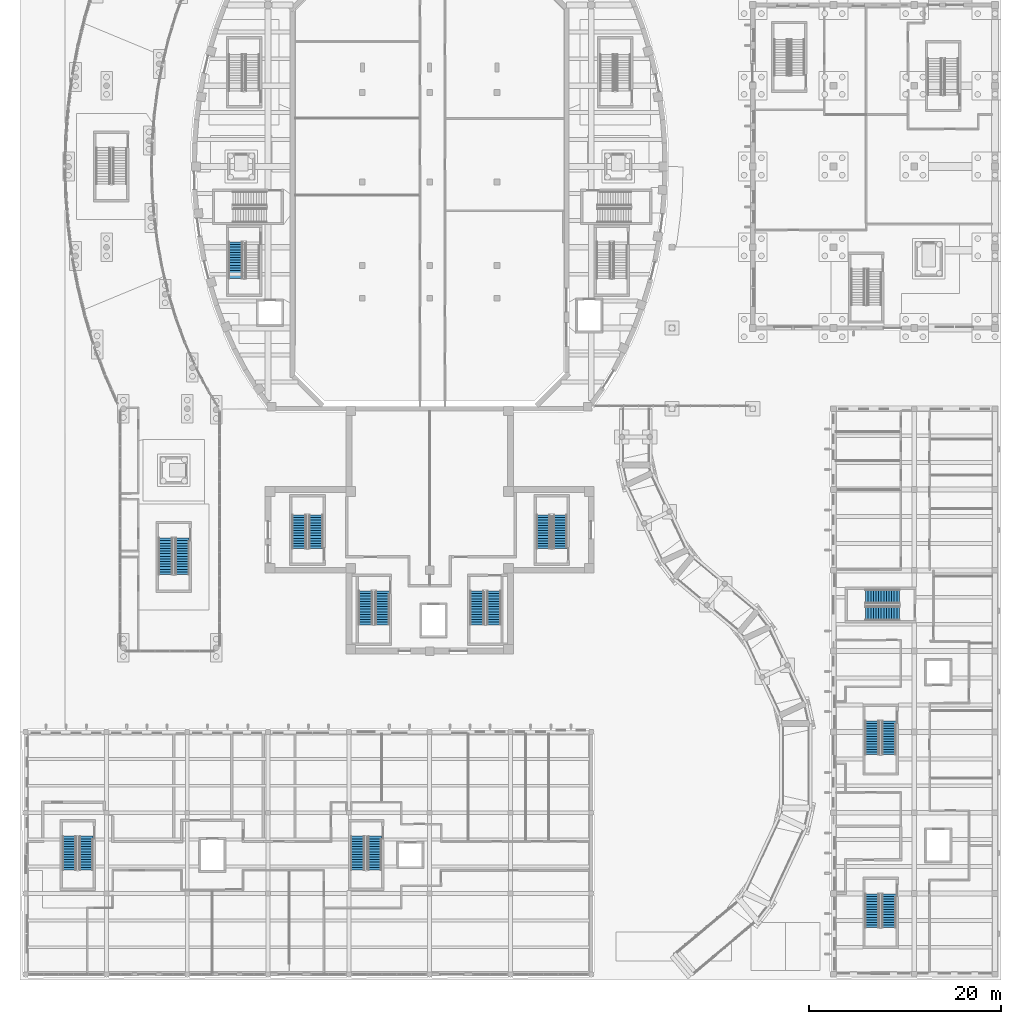
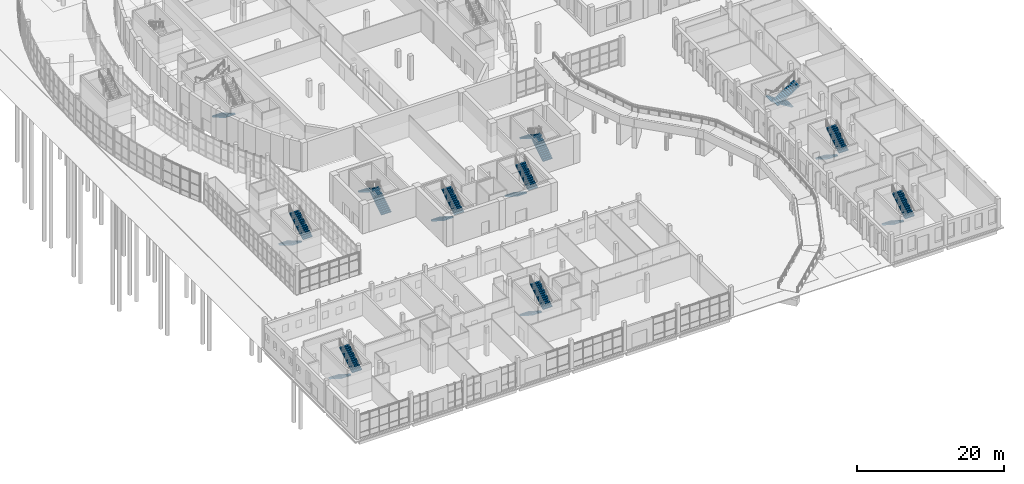
# One storey, part 69 of 110: 21 stair flights, 11 elements without a shape of their own.
"""IFC4 building model written with IfcOpenShell, lengths in metres."""

from ifc_helpers import new_model, si_unit, direction, frame, origin, place, context, subcontext, project, spatial, polyline, outline, extrude, material, type_object, element, aggregate, save


model = new_model("IFC4")

# Units and contexts
model_context = context("Model", 3, precision=1e-05, world=origin(), true_north=direction((0.0, 1.0)))
body_context = subcontext(model_context, "Body", "Model", "MODEL_VIEW")
ifc_project = project(units=[si_unit("LENGTHUNIT", "METRE"), si_unit("AREAUNIT", "SQUARE_METRE"), si_unit("VOLUMEUNIT", "CUBIC_METRE"), si_unit("PLANEANGLEUNIT", "RADIAN"), si_unit("MASSUNIT", "GRAM", prefix="KILO")], contexts=[model_context])

# Site, building, storey
site_placement = place(None, origin())
site = spatial("IfcSite", under=ifc_project, at=site_placement, CompositionType="ELEMENT")
building_placement = place(site_placement, origin())
building = spatial("IfcBuilding", under=site, at=building_placement, Name="Larchfold Concert Hall", CompositionType="ELEMENT")
storey_placement = place(building_placement, origin())
storey = spatial("IfcBuildingStorey", under=building, at=storey_placement, Name="L00", CompositionType="ELEMENT", Elevation=0.0)

# Stair, stair flight
ifc_material_1 = material(Name="Concrete C35/45", Category="concrete")
stair_type = type_object("IfcStairType", Name="Stair RC half-turn enclosed", PredefinedType="HALF_TURN_STAIR", material=ifc_material_1)
stair_1_placement = place(storey_placement, origin())
stair_1 = element("IfcStair", 1, at=stair_1_placement, inside=storey, type_object=stair_type, Name="Stair DS5", PredefinedType="HALF_TURN_STAIR")
ifc_material_2 = material(Name="Concrete C35/45", Category="concrete")
stair_flight_type_1 = type_object("IfcStairFlightType", Name="Stair flight RC 1500 x 160.0", PredefinedType="STRAIGHT", material=ifc_material_2)
stair_flight_1_placement = place(storey_placement, frame((22.449951171875, 76.75, 0.0), z_axis=(0.0, 0.0, 1.0), x_axis=(0.0, -1.0, 0.0)))
stair_flight_1 = element("IfcStairFlight", 2, at=stair_flight_1_placement, type_object=stair_flight_type_1, Name="ST05 flight 1", NumberOfRisers=15, NumberOfTreads=14, PredefinedType="STRAIGHT", RiserHeight=0.16, TreadLength=0.27, context=body_context, shape_type="SweptSolid", body=[
    extrude(outline(polyline([(0.0, 0.0), (0.0, 0.159912109375), (0.27001953125, 0.159912109375), (0.27001953125, 0.320068359375), (0.5400390625, 0.320068359375), (0.5400390625, 0.47998046875), (0.81005859375, 0.47998046875), (0.81005859375, 0.639892578125), (1.080078125, 0.639892578125), (1.080078125, 0.800048828125), (1.35009765625, 0.800048828125), (1.35009765625, 0.9599609375), (1.6201171875, 0.9599609375), (1.6201171875, 1.1201171875), (1.889892578125, 1.1201171875), (1.889892578125, 1.280029296875), (2.159912109375, 1.280029296875), (2.159912109375, 1.43994140625), (2.429931640625, 1.43994140625), (2.429931640625, 1.60009765625), (2.699951171875, 1.60009765625), (2.699951171875, 1.760009765625), (2.969970703125, 1.760009765625), (2.969970703125, 1.919921875), (3.239990234375, 1.919921875), (3.239990234375, 2.080078125), (3.510009765625, 2.080078125), (3.510009765625, 2.239990234375), (3.780029296875, 2.239990234375), (3.780029296875, 2.39990234375), (3.780029296875, 2.065673828125), (0.2939453125, 0.0), (0.0, 0.0)])), frame((0.0, 0.75, 0.0), z_axis=(0.0, -1.0, 0.0), x_axis=(1.0, 0.0, 0.0)), (0.0, 0.0, 1.0), 1.5),
])
aggregate(stair_1, [stair_flight_1])

# Stair, stair flights
stair_2_placement = place(storey_placement, origin())
stair_2 = element("IfcStair", 3, at=stair_2_placement, inside=storey, type_object=stair_type, Name="Stair WG1", PredefinedType="HALF_TURN_STAIR")
stair_flight_2_placement = place(storey_placement, frame((15.14990234375, 45.949951171875, 0.0), z_axis=(0.0, 0.0, 1.0), x_axis=(0.0, -1.0, 0.0)))
stair_flight_2 = element("IfcStairFlight", 4, at=stair_flight_2_placement, type_object=stair_flight_type_1, Name="ST23 flight 1", NumberOfRisers=15, NumberOfTreads=14, PredefinedType="STRAIGHT", RiserHeight=0.16, TreadLength=0.27, context=body_context, shape_type="SweptSolid", body=[
    extrude(outline(polyline([(0.0, 0.0), (0.0, 0.159912109375), (0.27001953125, 0.159912109375), (0.27001953125, 0.320068359375), (0.5400390625, 0.320068359375), (0.5400390625, 0.47998046875), (0.81005859375, 0.47998046875), (0.81005859375, 0.639892578125), (1.080078125, 0.639892578125), (1.080078125, 0.800048828125), (1.35009765625, 0.800048828125), (1.35009765625, 0.9599609375), (1.6201171875, 0.9599609375), (1.6201171875, 1.1201171875), (1.889892578125, 1.1201171875), (1.889892578125, 1.280029296875), (2.159912109375, 1.280029296875), (2.159912109375, 1.43994140625), (2.429931640625, 1.43994140625), (2.429931640625, 1.60009765625), (2.699951171875, 1.60009765625), (2.699951171875, 1.760009765625), (2.969970703125, 1.760009765625), (2.969970703125, 1.919921875), (3.239990234375, 1.919921875), (3.239990234375, 2.080078125), (3.510009765625, 2.080078125), (3.510009765625, 2.239990234375), (3.780029296875, 2.239990234375), (3.780029296875, 2.39990234375), (3.780029296875, 2.065673828125), (0.2939453125, 0.0), (0.0, 0.0)])), frame((0.0, 0.75, 0.0), z_axis=(0.0, -1.0, 0.0), x_axis=(1.0, 0.0, 0.0)), (0.0, 0.0, 1.0), 1.5),
])
stair_flight_3_placement = place(storey_placement, frame((16.849853515625, 42.169921875, 2.39990234375), z_axis=(0.0, 0.0, 1.0), x_axis=(0.0, 1.0, 0.0)))
stair_flight_3 = element("IfcStairFlight", 5, at=stair_flight_3_placement, type_object=stair_flight_type_1, Name="ST23 flight 2", NumberOfRisers=15, NumberOfTreads=14, PredefinedType="STRAIGHT", RiserHeight=0.16, TreadLength=0.27, context=body_context, shape_type="SweptSolid", body=[
    extrude(outline(polyline([(0.0, 0.0), (0.0, 0.159912109375), (0.27001953125, 0.159912109375), (0.27001953125, 0.320068359375), (0.5400390625, 0.320068359375), (0.5400390625, 0.47998046875), (0.81005859375, 0.47998046875), (0.81005859375, 0.639892578125), (1.080078125, 0.639892578125), (1.080078125, 0.800048828125), (1.35009765625, 0.800048828125), (1.35009765625, 0.9599609375), (1.6201171875, 0.9599609375), (1.6201171875, 1.1201171875), (1.889892578125, 1.1201171875), (1.889892578125, 1.280029296875), (2.159912109375, 1.280029296875), (2.159912109375, 1.43994140625), (2.429931640625, 1.43994140625), (2.429931640625, 1.60009765625), (2.699951171875, 1.60009765625), (2.699951171875, 1.760009765625), (2.969970703125, 1.760009765625), (2.969970703125, 1.919921875), (3.239990234375, 1.919921875), (3.239990234375, 2.080078125), (3.510009765625, 2.080078125), (3.510009765625, 2.239990234375), (3.780029296875, 2.239990234375), (3.780029296875, 2.39990234375), (3.780029296875, 2.065673828125), (0.2939453125, 0.0), (0.0, 0.0)])), frame((0.0, 0.75, 0.0), z_axis=(0.0, -1.0, 0.0), x_axis=(1.0, 0.0, 0.0)), (0.0, 0.0, 1.0), 1.5),
])
aggregate(stair_2, [stair_flight_2, stair_flight_3])

stair_3_placement = place(storey_placement, origin())
stair_3 = element("IfcStair", 6, at=stair_3_placement, inside=storey, type_object=stair_type, Name="Stair SH1", PredefinedType="HALF_TURN_STAIR")
ifc_material_3 = material(Name="Concrete C35/45", Category="concrete")
stair_flight_type_2 = type_object("IfcStairFlightType", Name="Stair flight RC 1500 x 171.4", PredefinedType="STRAIGHT", material=ifc_material_3)
stair_flight_4_placement = place(storey_placement, frame((30.75, 44.85009765625, 0.0), z_axis=(0.0, 0.0, 1.0), x_axis=(0.0, 1.0, 0.0)))
stair_flight_4 = element("IfcStairFlight", 7, at=stair_flight_4_placement, type_object=stair_flight_type_2, Name="ST09 flight 1", NumberOfRisers=14, NumberOfTreads=13, PredefinedType="STRAIGHT", RiserHeight=0.171428571, TreadLength=0.27, context=body_context, shape_type="SweptSolid", body=[
    extrude(outline(polyline([(0.0, 0.0), (0.0, 0.17138671875), (0.27001953125, 0.17138671875), (0.27001953125, 0.3427734375), (0.5400390625, 0.3427734375), (0.5400390625, 0.514404296875), (0.81005859375, 0.514404296875), (0.81005859375, 0.685791015625), (1.080078125, 0.685791015625), (1.080078125, 0.857177734375), (1.35009765625, 0.857177734375), (1.35009765625, 1.028564453125), (1.6201171875, 1.028564453125), (1.6201171875, 1.199951171875), (1.889892578125, 1.199951171875), (1.889892578125, 1.371337890625), (2.159912109375, 1.371337890625), (2.159912109375, 1.54296875), (2.429931640625, 1.54296875), (2.429931640625, 1.71435546875), (2.699951171875, 1.71435546875), (2.699951171875, 1.8857421875), (2.969970703125, 1.8857421875), (2.969970703125, 2.05712890625), (3.239990234375, 2.05712890625), (3.239990234375, 2.228515625), (3.510009765625, 2.228515625), (3.510009765625, 2.39990234375), (3.510009765625, 2.051025390625), (0.27978515625, 0.0), (0.0, 0.0)])), frame((0.0, 0.75, 0.0), z_axis=(0.0, -1.0, 0.0), x_axis=(1.0, 0.0, 0.0)), (0.0, 0.0, 1.0), 1.5),
])
stair_flight_5_placement = place(storey_placement, frame((29.050048828125, 48.360107421875, 2.39990234375), z_axis=(0.0, 0.0, 1.0), x_axis=(0.0, -1.0, 0.0)))
stair_flight_5 = element("IfcStairFlight", 8, at=stair_flight_5_placement, type_object=stair_flight_type_2, Name="ST09 flight 2", NumberOfRisers=14, NumberOfTreads=13, PredefinedType="STRAIGHT", RiserHeight=0.171428571, TreadLength=0.27, context=body_context, shape_type="SweptSolid", body=[
    extrude(outline(polyline([(0.0, 0.0), (0.0, 0.17138671875), (0.27001953125, 0.17138671875), (0.27001953125, 0.3427734375), (0.5400390625, 0.3427734375), (0.5400390625, 0.514404296875), (0.81005859375, 0.514404296875), (0.81005859375, 0.685791015625), (1.080078125, 0.685791015625), (1.080078125, 0.857177734375), (1.35009765625, 0.857177734375), (1.35009765625, 1.028564453125), (1.6201171875, 1.028564453125), (1.6201171875, 1.199951171875), (1.889892578125, 1.199951171875), (1.889892578125, 1.371337890625), (2.159912109375, 1.371337890625), (2.159912109375, 1.54296875), (2.429931640625, 1.54296875), (2.429931640625, 1.71435546875), (2.699951171875, 1.71435546875), (2.699951171875, 1.8857421875), (2.969970703125, 1.8857421875), (2.969970703125, 2.05712890625), (3.239990234375, 2.05712890625), (3.239990234375, 2.228515625), (3.510009765625, 2.228515625), (3.510009765625, 2.39990234375), (3.510009765625, 2.051025390625), (0.27978515625, 0.0), (0.0, 0.0)])), frame((0.0, 0.75, 0.0), z_axis=(0.0, -1.0, 0.0), x_axis=(1.0, 0.0, 0.0)), (0.0, 0.0, 1.0), 1.5),
])
aggregate(stair_3, [stair_flight_4, stair_flight_5])

stair_4_placement = place(storey_placement, origin())
stair_4 = element("IfcStair", 9, at=stair_4_placement, inside=storey, type_object=stair_type, Name="Stair SH2", PredefinedType="HALF_TURN_STAIR")
stair_flight_6_placement = place(storey_placement, frame((56.14990234375, 44.85009765625, 0.0), z_axis=(0.0, 0.0, 1.0), x_axis=(0.0, 1.0, 0.0)))
stair_flight_6 = element("IfcStairFlight", 10, at=stair_flight_6_placement, type_object=stair_flight_type_2, Name="ST10 flight 1", NumberOfRisers=14, NumberOfTreads=13, PredefinedType="STRAIGHT", RiserHeight=0.171428571, TreadLength=0.27, context=body_context, shape_type="SweptSolid", body=[
    extrude(outline(polyline([(0.0, 0.0), (0.0, 0.17138671875), (0.27001953125, 0.17138671875), (0.27001953125, 0.3427734375), (0.5400390625, 0.3427734375), (0.5400390625, 0.514404296875), (0.81005859375, 0.514404296875), (0.81005859375, 0.685791015625), (1.080078125, 0.685791015625), (1.080078125, 0.857177734375), (1.35009765625, 0.857177734375), (1.35009765625, 1.028564453125), (1.6201171875, 1.028564453125), (1.6201171875, 1.199951171875), (1.889892578125, 1.199951171875), (1.889892578125, 1.371337890625), (2.159912109375, 1.371337890625), (2.159912109375, 1.54296875), (2.429931640625, 1.54296875), (2.429931640625, 1.71435546875), (2.699951171875, 1.71435546875), (2.699951171875, 1.8857421875), (2.969970703125, 1.8857421875), (2.969970703125, 2.05712890625), (3.239990234375, 2.05712890625), (3.239990234375, 2.228515625), (3.510009765625, 2.228515625), (3.510009765625, 2.39990234375), (3.510009765625, 2.051025390625), (0.27978515625, 0.0), (0.0, 0.0)])), frame((0.0, 0.75, 0.0), z_axis=(0.0, -1.0, 0.0), x_axis=(1.0, 0.0, 0.0)), (0.0, 0.0, 1.0), 1.5),
])
stair_flight_7_placement = place(storey_placement, frame((54.449951171875, 48.360107421875, 2.39990234375), z_axis=(0.0, 0.0, 1.0), x_axis=(0.0, -1.0, 0.0)))
stair_flight_7 = element("IfcStairFlight", 11, at=stair_flight_7_placement, type_object=stair_flight_type_2, Name="ST10 flight 2", NumberOfRisers=14, NumberOfTreads=13, PredefinedType="STRAIGHT", RiserHeight=0.171428571, TreadLength=0.27, context=body_context, shape_type="SweptSolid", body=[
    extrude(outline(polyline([(0.0, 0.0), (0.0, 0.17138671875), (0.27001953125, 0.17138671875), (0.27001953125, 0.3427734375), (0.5400390625, 0.3427734375), (0.5400390625, 0.514404296875), (0.81005859375, 0.514404296875), (0.81005859375, 0.685791015625), (1.080078125, 0.685791015625), (1.080078125, 0.857177734375), (1.35009765625, 0.857177734375), (1.35009765625, 1.028564453125), (1.6201171875, 1.028564453125), (1.6201171875, 1.199951171875), (1.889892578125, 1.199951171875), (1.889892578125, 1.371337890625), (2.159912109375, 1.371337890625), (2.159912109375, 1.54296875), (2.429931640625, 1.54296875), (2.429931640625, 1.71435546875), (2.699951171875, 1.71435546875), (2.699951171875, 1.8857421875), (2.969970703125, 1.8857421875), (2.969970703125, 2.05712890625), (3.239990234375, 2.05712890625), (3.239990234375, 2.228515625), (3.510009765625, 2.228515625), (3.510009765625, 2.39990234375), (3.510009765625, 2.051025390625), (0.27978515625, 0.0), (0.0, 0.0)])), frame((0.0, 0.75, 0.0), z_axis=(0.0, -1.0, 0.0), x_axis=(1.0, 0.0, 0.0)), (0.0, 0.0, 1.0), 1.5),
])
aggregate(stair_4, [stair_flight_6, stair_flight_7])

stair_5_placement = place(storey_placement, origin())
stair_5 = element("IfcStair", 12, at=stair_5_placement, inside=storey, type_object=stair_type, Name="Stair SH3", PredefinedType="HALF_TURN_STAIR")
stair_flight_8_placement = place(storey_placement, frame((35.949951171875, 40.449951171875, 0.0), z_axis=(0.0, 0.0, 1.0), x_axis=(0.0, -1.0, 0.0)))
stair_flight_8 = element("IfcStairFlight", 13, at=stair_flight_8_placement, type_object=stair_flight_type_2, Name="ST11 flight 1", NumberOfRisers=14, NumberOfTreads=13, PredefinedType="STRAIGHT", RiserHeight=0.171428571, TreadLength=0.27, context=body_context, shape_type="SweptSolid", body=[
    extrude(outline(polyline([(0.0, 0.0), (0.0, 0.17138671875), (0.27001953125, 0.17138671875), (0.27001953125, 0.3427734375), (0.5400390625, 0.3427734375), (0.5400390625, 0.514404296875), (0.81005859375, 0.514404296875), (0.81005859375, 0.685791015625), (1.080078125, 0.685791015625), (1.080078125, 0.857177734375), (1.35009765625, 0.857177734375), (1.35009765625, 1.028564453125), (1.6201171875, 1.028564453125), (1.6201171875, 1.199951171875), (1.889892578125, 1.199951171875), (1.889892578125, 1.371337890625), (2.159912109375, 1.371337890625), (2.159912109375, 1.54296875), (2.429931640625, 1.54296875), (2.429931640625, 1.71435546875), (2.699951171875, 1.71435546875), (2.699951171875, 1.8857421875), (2.969970703125, 1.8857421875), (2.969970703125, 2.05712890625), (3.239990234375, 2.05712890625), (3.239990234375, 2.228515625), (3.510009765625, 2.228515625), (3.510009765625, 2.39990234375), (3.510009765625, 2.051025390625), (0.27978515625, 0.0), (0.0, 0.0)])), frame((0.0, 0.75, 0.0), z_axis=(0.0, -1.0, 0.0), x_axis=(1.0, 0.0, 0.0)), (0.0, 0.0, 1.0), 1.5),
])
stair_flight_9_placement = place(storey_placement, frame((37.64990234375, 36.93994140625, 2.39990234375), z_axis=(0.0, 0.0, 1.0), x_axis=(0.0, 1.0, 0.0)))
stair_flight_9 = element("IfcStairFlight", 14, at=stair_flight_9_placement, type_object=stair_flight_type_2, Name="ST11 flight 2", NumberOfRisers=14, NumberOfTreads=13, PredefinedType="STRAIGHT", RiserHeight=0.171428571, TreadLength=0.27, context=body_context, shape_type="SweptSolid", body=[
    extrude(outline(polyline([(0.0, 0.0), (0.0, 0.17138671875), (0.27001953125, 0.17138671875), (0.27001953125, 0.3427734375), (0.5400390625, 0.3427734375), (0.5400390625, 0.514404296875), (0.81005859375, 0.514404296875), (0.81005859375, 0.685791015625), (1.080078125, 0.685791015625), (1.080078125, 0.857177734375), (1.35009765625, 0.857177734375), (1.35009765625, 1.028564453125), (1.6201171875, 1.028564453125), (1.6201171875, 1.199951171875), (1.889892578125, 1.199951171875), (1.889892578125, 1.371337890625), (2.159912109375, 1.371337890625), (2.159912109375, 1.54296875), (2.429931640625, 1.54296875), (2.429931640625, 1.71435546875), (2.699951171875, 1.71435546875), (2.699951171875, 1.8857421875), (2.969970703125, 1.8857421875), (2.969970703125, 2.05712890625), (3.239990234375, 2.05712890625), (3.239990234375, 2.228515625), (3.510009765625, 2.228515625), (3.510009765625, 2.39990234375), (3.510009765625, 2.051025390625), (0.27978515625, 0.0), (0.0, 0.0)])), frame((0.0, 0.75, 0.0), z_axis=(0.0, -1.0, 0.0), x_axis=(1.0, 0.0, 0.0)), (0.0, 0.0, 1.0), 1.5),
])
aggregate(stair_5, [stair_flight_8, stair_flight_9])

stair_6_placement = place(storey_placement, origin())
stair_6 = element("IfcStair", 15, at=stair_6_placement, inside=storey, type_object=stair_type, Name="Stair SH4", PredefinedType="HALF_TURN_STAIR")
stair_flight_10_placement = place(storey_placement, frame((47.550048828125, 40.449951171875, 0.0), z_axis=(0.0, 0.0, 1.0), x_axis=(0.0, -1.0, 0.0)))
stair_flight_10 = element("IfcStairFlight", 16, at=stair_flight_10_placement, type_object=stair_flight_type_2, Name="ST12 flight 1", NumberOfRisers=14, NumberOfTreads=13, PredefinedType="STRAIGHT", RiserHeight=0.171428571, TreadLength=0.27, context=body_context, shape_type="SweptSolid", body=[
    extrude(outline(polyline([(0.0, 0.0), (0.0, 0.17138671875), (0.27001953125, 0.17138671875), (0.27001953125, 0.3427734375), (0.5400390625, 0.3427734375), (0.5400390625, 0.514404296875), (0.81005859375, 0.514404296875), (0.81005859375, 0.685791015625), (1.080078125, 0.685791015625), (1.080078125, 0.857177734375), (1.35009765625, 0.857177734375), (1.35009765625, 1.028564453125), (1.6201171875, 1.028564453125), (1.6201171875, 1.199951171875), (1.889892578125, 1.199951171875), (1.889892578125, 1.371337890625), (2.159912109375, 1.371337890625), (2.159912109375, 1.54296875), (2.429931640625, 1.54296875), (2.429931640625, 1.71435546875), (2.699951171875, 1.71435546875), (2.699951171875, 1.8857421875), (2.969970703125, 1.8857421875), (2.969970703125, 2.05712890625), (3.239990234375, 2.05712890625), (3.239990234375, 2.228515625), (3.510009765625, 2.228515625), (3.510009765625, 2.39990234375), (3.510009765625, 2.051025390625), (0.27978515625, 0.0), (0.0, 0.0)])), frame((0.0, 0.75, 0.0), z_axis=(0.0, -1.0, 0.0), x_axis=(1.0, 0.0, 0.0)), (0.0, 0.0, 1.0), 1.5),
])
stair_flight_11_placement = place(storey_placement, frame((49.25, 36.93994140625, 2.39990234375), z_axis=(0.0, 0.0, 1.0), x_axis=(0.0, 1.0, 0.0)))
stair_flight_11 = element("IfcStairFlight", 17, at=stair_flight_11_placement, type_object=stair_flight_type_2, Name="ST12 flight 2", NumberOfRisers=14, NumberOfTreads=13, PredefinedType="STRAIGHT", RiserHeight=0.171428571, TreadLength=0.27, context=body_context, shape_type="SweptSolid", body=[
    extrude(outline(polyline([(0.0, 0.0), (0.0, 0.17138671875), (0.27001953125, 0.17138671875), (0.27001953125, 0.3427734375), (0.5400390625, 0.3427734375), (0.5400390625, 0.514404296875), (0.81005859375, 0.514404296875), (0.81005859375, 0.685791015625), (1.080078125, 0.685791015625), (1.080078125, 0.857177734375), (1.35009765625, 0.857177734375), (1.35009765625, 1.028564453125), (1.6201171875, 1.028564453125), (1.6201171875, 1.199951171875), (1.889892578125, 1.199951171875), (1.889892578125, 1.371337890625), (2.159912109375, 1.371337890625), (2.159912109375, 1.54296875), (2.429931640625, 1.54296875), (2.429931640625, 1.71435546875), (2.699951171875, 1.71435546875), (2.699951171875, 1.8857421875), (2.969970703125, 1.8857421875), (2.969970703125, 2.05712890625), (3.239990234375, 2.05712890625), (3.239990234375, 2.228515625), (3.510009765625, 2.228515625), (3.510009765625, 2.39990234375), (3.510009765625, 2.051025390625), (0.27978515625, 0.0), (0.0, 0.0)])), frame((0.0, 0.75, 0.0), z_axis=(0.0, -1.0, 0.0), x_axis=(1.0, 0.0, 0.0)), (0.0, 0.0, 1.0), 1.5),
])
aggregate(stair_6, [stair_flight_10, stair_flight_11])

stair_7_placement = place(storey_placement, origin())
stair_7 = element("IfcStair", 18, at=stair_7_placement, inside=storey, type_object=stair_type, Name="Stair AW1", PredefinedType="HALF_TURN_STAIR")
stair_flight_12_placement = place(storey_placement, frame((88.64990234375, 8.949951171875, 0.0), z_axis=(0.0, 0.0, 1.0), x_axis=(0.0, -1.0, 0.0)))
stair_flight_12 = element("IfcStairFlight", 19, at=stair_flight_12_placement, type_object=stair_flight_type_2, Name="ST13 flight 1", NumberOfRisers=14, NumberOfTreads=13, PredefinedType="STRAIGHT", RiserHeight=0.171428571, TreadLength=0.27, context=body_context, shape_type="SweptSolid", body=[
    extrude(outline(polyline([(0.0, 0.0), (0.0, 0.17138671875), (0.27001953125, 0.17138671875), (0.27001953125, 0.3427734375), (0.5400390625, 0.3427734375), (0.5400390625, 0.514404296875), (0.81005859375, 0.514404296875), (0.81005859375, 0.685791015625), (1.080078125, 0.685791015625), (1.080078125, 0.857177734375), (1.35009765625, 0.857177734375), (1.35009765625, 1.028564453125), (1.6201171875, 1.028564453125), (1.6201171875, 1.199951171875), (1.889892578125, 1.199951171875), (1.889892578125, 1.371337890625), (2.159912109375, 1.371337890625), (2.159912109375, 1.54296875), (2.429931640625, 1.54296875), (2.429931640625, 1.71435546875), (2.699951171875, 1.71435546875), (2.699951171875, 1.8857421875), (2.969970703125, 1.8857421875), (2.969970703125, 2.05712890625), (3.239990234375, 2.05712890625), (3.239990234375, 2.228515625), (3.510009765625, 2.228515625), (3.510009765625, 2.39990234375), (3.510009765625, 2.051025390625), (0.27978515625, 0.0), (0.0, 0.0)])), frame((0.0, 0.75, 0.0), z_axis=(0.0, -1.0, 0.0), x_axis=(1.0, 0.0, 0.0)), (0.0, 0.0, 1.0), 1.5),
])
stair_flight_13_placement = place(storey_placement, frame((90.349853515625, 5.43994140625, 2.39990234375), z_axis=(0.0, 0.0, 1.0), x_axis=(0.0, 1.0, 0.0)))
stair_flight_13 = element("IfcStairFlight", 20, at=stair_flight_13_placement, type_object=stair_flight_type_2, Name="ST13 flight 2", NumberOfRisers=14, NumberOfTreads=13, PredefinedType="STRAIGHT", RiserHeight=0.171428571, TreadLength=0.27, context=body_context, shape_type="SweptSolid", body=[
    extrude(outline(polyline([(0.0, 0.0), (0.0, 0.17138671875), (0.27001953125, 0.17138671875), (0.27001953125, 0.3427734375), (0.5400390625, 0.3427734375), (0.5400390625, 0.514404296875), (0.81005859375, 0.514404296875), (0.81005859375, 0.685791015625), (1.080078125, 0.685791015625), (1.080078125, 0.857177734375), (1.35009765625, 0.857177734375), (1.35009765625, 1.028564453125), (1.6201171875, 1.028564453125), (1.6201171875, 1.199951171875), (1.889892578125, 1.199951171875), (1.889892578125, 1.371337890625), (2.159912109375, 1.371337890625), (2.159912109375, 1.54296875), (2.429931640625, 1.54296875), (2.429931640625, 1.71435546875), (2.699951171875, 1.71435546875), (2.699951171875, 1.8857421875), (2.969970703125, 1.8857421875), (2.969970703125, 2.05712890625), (3.239990234375, 2.05712890625), (3.239990234375, 2.228515625), (3.510009765625, 2.228515625), (3.510009765625, 2.39990234375), (3.510009765625, 2.051025390625), (0.27978515625, 0.0), (0.0, 0.0)])), frame((0.0, 0.75, 0.0), z_axis=(0.0, -1.0, 0.0), x_axis=(1.0, 0.0, 0.0)), (0.0, 0.0, 1.0), 1.5),
])
aggregate(stair_7, [stair_flight_12, stair_flight_13])

stair_8_placement = place(storey_placement, origin())
stair_8 = element("IfcStair", 21, at=stair_8_placement, inside=storey, type_object=stair_type, Name="Stair AW2", PredefinedType="HALF_TURN_STAIR")
stair_flight_14_placement = place(storey_placement, frame((88.64990234375, 26.949951171875, 0.0), z_axis=(0.0, 0.0, 1.0), x_axis=(0.0, -1.0, 0.0)))
stair_flight_14 = element("IfcStairFlight", 22, at=stair_flight_14_placement, type_object=stair_flight_type_2, Name="ST14 flight 1", NumberOfRisers=14, NumberOfTreads=13, PredefinedType="STRAIGHT", RiserHeight=0.171428571, TreadLength=0.27, context=body_context, shape_type="SweptSolid", body=[
    extrude(outline(polyline([(0.0, 0.0), (0.0, 0.17138671875), (0.27001953125, 0.17138671875), (0.27001953125, 0.3427734375), (0.5400390625, 0.3427734375), (0.5400390625, 0.514404296875), (0.81005859375, 0.514404296875), (0.81005859375, 0.685791015625), (1.080078125, 0.685791015625), (1.080078125, 0.857177734375), (1.35009765625, 0.857177734375), (1.35009765625, 1.028564453125), (1.6201171875, 1.028564453125), (1.6201171875, 1.199951171875), (1.889892578125, 1.199951171875), (1.889892578125, 1.371337890625), (2.159912109375, 1.371337890625), (2.159912109375, 1.54296875), (2.429931640625, 1.54296875), (2.429931640625, 1.71435546875), (2.699951171875, 1.71435546875), (2.699951171875, 1.8857421875), (2.969970703125, 1.8857421875), (2.969970703125, 2.05712890625), (3.239990234375, 2.05712890625), (3.239990234375, 2.228515625), (3.510009765625, 2.228515625), (3.510009765625, 2.39990234375), (3.510009765625, 2.051025390625), (0.27978515625, 0.0), (0.0, 0.0)])), frame((0.0, 0.75, 0.0), z_axis=(0.0, -1.0, 0.0), x_axis=(1.0, 0.0, 0.0)), (0.0, 0.0, 1.0), 1.5),
])
stair_flight_15_placement = place(storey_placement, frame((90.349853515625, 23.43994140625, 2.39990234375), z_axis=(0.0, 0.0, 1.0), x_axis=(0.0, 1.0, 0.0)))
stair_flight_15 = element("IfcStairFlight", 23, at=stair_flight_15_placement, type_object=stair_flight_type_2, Name="ST14 flight 2", NumberOfRisers=14, NumberOfTreads=13, PredefinedType="STRAIGHT", RiserHeight=0.171428571, TreadLength=0.27, context=body_context, shape_type="SweptSolid", body=[
    extrude(outline(polyline([(0.0, 0.0), (0.0, 0.17138671875), (0.27001953125, 0.17138671875), (0.27001953125, 0.3427734375), (0.5400390625, 0.3427734375), (0.5400390625, 0.514404296875), (0.81005859375, 0.514404296875), (0.81005859375, 0.685791015625), (1.080078125, 0.685791015625), (1.080078125, 0.857177734375), (1.35009765625, 0.857177734375), (1.35009765625, 1.028564453125), (1.6201171875, 1.028564453125), (1.6201171875, 1.199951171875), (1.889892578125, 1.199951171875), (1.889892578125, 1.371337890625), (2.159912109375, 1.371337890625), (2.159912109375, 1.54296875), (2.429931640625, 1.54296875), (2.429931640625, 1.71435546875), (2.699951171875, 1.71435546875), (2.699951171875, 1.8857421875), (2.969970703125, 1.8857421875), (2.969970703125, 2.05712890625), (3.239990234375, 2.05712890625), (3.239990234375, 2.228515625), (3.510009765625, 2.228515625), (3.510009765625, 2.39990234375), (3.510009765625, 2.051025390625), (0.27978515625, 0.0), (0.0, 0.0)])), frame((0.0, 0.75, 0.0), z_axis=(0.0, -1.0, 0.0), x_axis=(1.0, 0.0, 0.0)), (0.0, 0.0, 1.0), 1.5),
])
aggregate(stair_8, [stair_flight_14, stair_flight_15])

stair_9_placement = place(storey_placement, origin())
stair_9 = element("IfcStair", 24, at=stair_9_placement, inside=storey, type_object=stair_type, Name="Stair AW3", PredefinedType="HALF_TURN_STAIR")
stair_flight_16_placement = place(storey_placement, frame((91.449951171875, 39.85009765625, 0.0), z_axis=(0.0, 0.0, 1.0), x_axis=(-1.0, 0.0, 0.0)))
stair_flight_16 = element("IfcStairFlight", 25, at=stair_flight_16_placement, type_object=stair_flight_type_2, Name="ST15 flight 1", NumberOfRisers=14, NumberOfTreads=13, PredefinedType="STRAIGHT", RiserHeight=0.171428571, TreadLength=0.27, context=body_context, shape_type="SweptSolid", body=[
    extrude(outline(polyline([(0.0, 0.0), (0.0, 0.17138671875), (0.27001953125, 0.17138671875), (0.27001953125, 0.3427734375), (0.5400390625, 0.3427734375), (0.5400390625, 0.514404296875), (0.81005859375, 0.514404296875), (0.81005859375, 0.685791015625), (1.080078125, 0.685791015625), (1.080078125, 0.857177734375), (1.35009765625, 0.857177734375), (1.35009765625, 1.028564453125), (1.6201171875, 1.028564453125), (1.6201171875, 1.199951171875), (1.889892578125, 1.199951171875), (1.889892578125, 1.371337890625), (2.159912109375, 1.371337890625), (2.159912109375, 1.54296875), (2.429931640625, 1.54296875), (2.429931640625, 1.71435546875), (2.699951171875, 1.71435546875), (2.699951171875, 1.8857421875), (2.969970703125, 1.8857421875), (2.969970703125, 2.05712890625), (3.239990234375, 2.05712890625), (3.239990234375, 2.228515625), (3.510009765625, 2.228515625), (3.510009765625, 2.39990234375), (3.510009765625, 2.051025390625), (0.27978515625, 0.0), (0.0, 0.0)])), frame((0.0, 0.75, 0.0), z_axis=(0.0, -1.0, 0.0), x_axis=(1.0, 0.0, 0.0)), (0.0, 0.0, 1.0), 1.5),
])
stair_flight_17_placement = place(storey_placement, frame((87.93994140625, 38.150146484375, 2.39990234375), z_axis=(0.0, 0.0, 1.0), x_axis=(1.0, 0.0, 0.0)))
stair_flight_17 = element("IfcStairFlight", 26, at=stair_flight_17_placement, type_object=stair_flight_type_2, Name="ST15 flight 2", NumberOfRisers=14, NumberOfTreads=13, PredefinedType="STRAIGHT", RiserHeight=0.171428571, TreadLength=0.27, context=body_context, shape_type="SweptSolid", body=[
    extrude(outline(polyline([(0.0, 0.0), (0.0, 0.17138671875), (0.27001953125, 0.17138671875), (0.27001953125, 0.3427734375), (0.5400390625, 0.3427734375), (0.5400390625, 0.514404296875), (0.81005859375, 0.514404296875), (0.81005859375, 0.685791015625), (1.080078125, 0.685791015625), (1.080078125, 0.857177734375), (1.35009765625, 0.857177734375), (1.35009765625, 1.028564453125), (1.6201171875, 1.028564453125), (1.6201171875, 1.199951171875), (1.889892578125, 1.199951171875), (1.889892578125, 1.371337890625), (2.159912109375, 1.371337890625), (2.159912109375, 1.54296875), (2.429931640625, 1.54296875), (2.429931640625, 1.71435546875), (2.699951171875, 1.71435546875), (2.699951171875, 1.8857421875), (2.969970703125, 1.8857421875), (2.969970703125, 2.05712890625), (3.239990234375, 2.05712890625), (3.239990234375, 2.228515625), (3.510009765625, 2.228515625), (3.510009765625, 2.39990234375), (3.510009765625, 2.051025390625), (0.27978515625, 0.0), (0.0, 0.0)])), frame((0.0, 0.75, 0.0), z_axis=(0.0, -1.0, 0.0), x_axis=(1.0, 0.0, 0.0)), (0.0, 0.0, 1.0), 1.5),
])
aggregate(stair_9, [stair_flight_16, stair_flight_17])

stair_10_placement = place(storey_placement, origin())
stair_10 = element("IfcStair", 27, at=stair_10_placement, inside=storey, type_object=stair_type, Name="Stair SW1", PredefinedType="HALF_TURN_STAIR")
stair_flight_18_placement = place(storey_placement, frame((5.14990234375, 14.949951171875, 0.0), z_axis=(0.0, 0.0, 1.0), x_axis=(0.0, -1.0, 0.0)))
stair_flight_18 = element("IfcStairFlight", 28, at=stair_flight_18_placement, type_object=stair_flight_type_2, Name="ST21 flight 1", NumberOfRisers=14, NumberOfTreads=13, PredefinedType="STRAIGHT", RiserHeight=0.171428571, TreadLength=0.27, context=body_context, shape_type="SweptSolid", body=[
    extrude(outline(polyline([(0.0, 0.0), (0.0, 0.17138671875), (0.27001953125, 0.17138671875), (0.27001953125, 0.3427734375), (0.5400390625, 0.3427734375), (0.5400390625, 0.514404296875), (0.81005859375, 0.514404296875), (0.81005859375, 0.685791015625), (1.080078125, 0.685791015625), (1.080078125, 0.857177734375), (1.35009765625, 0.857177734375), (1.35009765625, 1.028564453125), (1.6201171875, 1.028564453125), (1.6201171875, 1.199951171875), (1.889892578125, 1.199951171875), (1.889892578125, 1.371337890625), (2.159912109375, 1.371337890625), (2.159912109375, 1.54296875), (2.429931640625, 1.54296875), (2.429931640625, 1.71435546875), (2.699951171875, 1.71435546875), (2.699951171875, 1.8857421875), (2.969970703125, 1.8857421875), (2.969970703125, 2.05712890625), (3.239990234375, 2.05712890625), (3.239990234375, 2.228515625), (3.510009765625, 2.228515625), (3.510009765625, 2.39990234375), (3.510009765625, 2.051025390625), (0.27978515625, 0.0), (0.0, 0.0)])), frame((0.0, 0.75, 0.0), z_axis=(0.0, -1.0, 0.0), x_axis=(1.0, 0.0, 0.0)), (0.0, 0.0, 1.0), 1.5),
])
stair_flight_19_placement = place(storey_placement, frame((6.849853515625, 11.43994140625, 2.39990234375), z_axis=(0.0, 0.0, 1.0), x_axis=(0.0, 1.0, 0.0)))
stair_flight_19 = element("IfcStairFlight", 29, at=stair_flight_19_placement, type_object=stair_flight_type_2, Name="ST21 flight 2", NumberOfRisers=14, NumberOfTreads=13, PredefinedType="STRAIGHT", RiserHeight=0.171428571, TreadLength=0.27, context=body_context, shape_type="SweptSolid", body=[
    extrude(outline(polyline([(0.0, 0.0), (0.0, 0.17138671875), (0.27001953125, 0.17138671875), (0.27001953125, 0.3427734375), (0.5400390625, 0.3427734375), (0.5400390625, 0.514404296875), (0.81005859375, 0.514404296875), (0.81005859375, 0.685791015625), (1.080078125, 0.685791015625), (1.080078125, 0.857177734375), (1.35009765625, 0.857177734375), (1.35009765625, 1.028564453125), (1.6201171875, 1.028564453125), (1.6201171875, 1.199951171875), (1.889892578125, 1.199951171875), (1.889892578125, 1.371337890625), (2.159912109375, 1.371337890625), (2.159912109375, 1.54296875), (2.429931640625, 1.54296875), (2.429931640625, 1.71435546875), (2.699951171875, 1.71435546875), (2.699951171875, 1.8857421875), (2.969970703125, 1.8857421875), (2.969970703125, 2.05712890625), (3.239990234375, 2.05712890625), (3.239990234375, 2.228515625), (3.510009765625, 2.228515625), (3.510009765625, 2.39990234375), (3.510009765625, 2.051025390625), (0.27978515625, 0.0), (0.0, 0.0)])), frame((0.0, 0.75, 0.0), z_axis=(0.0, -1.0, 0.0), x_axis=(1.0, 0.0, 0.0)), (0.0, 0.0, 1.0), 1.5),
])
aggregate(stair_10, [stair_flight_18, stair_flight_19])

stair_11_placement = place(storey_placement, origin())
stair_11 = element("IfcStair", 30, at=stair_11_placement, inside=storey, type_object=stair_type, Name="Stair SW2", PredefinedType="HALF_TURN_STAIR")
stair_flight_20_placement = place(storey_placement, frame((35.14990234375, 14.949951171875, 0.0), z_axis=(0.0, 0.0, 1.0), x_axis=(0.0, -1.0, 0.0)))
stair_flight_20 = element("IfcStairFlight", 31, at=stair_flight_20_placement, type_object=stair_flight_type_2, Name="ST22 flight 1", NumberOfRisers=14, NumberOfTreads=13, PredefinedType="STRAIGHT", RiserHeight=0.171428571, TreadLength=0.27, context=body_context, shape_type="SweptSolid", body=[
    extrude(outline(polyline([(0.0, 0.0), (0.0, 0.17138671875), (0.27001953125, 0.17138671875), (0.27001953125, 0.3427734375), (0.5400390625, 0.3427734375), (0.5400390625, 0.514404296875), (0.81005859375, 0.514404296875), (0.81005859375, 0.685791015625), (1.080078125, 0.685791015625), (1.080078125, 0.857177734375), (1.35009765625, 0.857177734375), (1.35009765625, 1.028564453125), (1.6201171875, 1.028564453125), (1.6201171875, 1.199951171875), (1.889892578125, 1.199951171875), (1.889892578125, 1.371337890625), (2.159912109375, 1.371337890625), (2.159912109375, 1.54296875), (2.429931640625, 1.54296875), (2.429931640625, 1.71435546875), (2.699951171875, 1.71435546875), (2.699951171875, 1.8857421875), (2.969970703125, 1.8857421875), (2.969970703125, 2.05712890625), (3.239990234375, 2.05712890625), (3.239990234375, 2.228515625), (3.510009765625, 2.228515625), (3.510009765625, 2.39990234375), (3.510009765625, 2.051025390625), (0.27978515625, 0.0), (0.0, 0.0)])), frame((0.0, 0.75, 0.0), z_axis=(0.0, -1.0, 0.0), x_axis=(1.0, 0.0, 0.0)), (0.0, 0.0, 1.0), 1.5),
])
stair_flight_21_placement = place(storey_placement, frame((36.849853515625, 11.43994140625, 2.39990234375), z_axis=(0.0, 0.0, 1.0), x_axis=(0.0, 1.0, 0.0)))
stair_flight_21 = element("IfcStairFlight", 32, at=stair_flight_21_placement, type_object=stair_flight_type_2, Name="ST22 flight 2", NumberOfRisers=14, NumberOfTreads=13, PredefinedType="STRAIGHT", RiserHeight=0.171428571, TreadLength=0.27, context=body_context, shape_type="SweptSolid", body=[
    extrude(outline(polyline([(0.0, 0.0), (0.0, 0.17138671875), (0.27001953125, 0.17138671875), (0.27001953125, 0.3427734375), (0.5400390625, 0.3427734375), (0.5400390625, 0.514404296875), (0.81005859375, 0.514404296875), (0.81005859375, 0.685791015625), (1.080078125, 0.685791015625), (1.080078125, 0.857177734375), (1.35009765625, 0.857177734375), (1.35009765625, 1.028564453125), (1.6201171875, 1.028564453125), (1.6201171875, 1.199951171875), (1.889892578125, 1.199951171875), (1.889892578125, 1.371337890625), (2.159912109375, 1.371337890625), (2.159912109375, 1.54296875), (2.429931640625, 1.54296875), (2.429931640625, 1.71435546875), (2.699951171875, 1.71435546875), (2.699951171875, 1.8857421875), (2.969970703125, 1.8857421875), (2.969970703125, 2.05712890625), (3.239990234375, 2.05712890625), (3.239990234375, 2.228515625), (3.510009765625, 2.228515625), (3.510009765625, 2.39990234375), (3.510009765625, 2.051025390625), (0.27978515625, 0.0), (0.0, 0.0)])), frame((0.0, 0.75, 0.0), z_axis=(0.0, -1.0, 0.0), x_axis=(1.0, 0.0, 0.0)), (0.0, 0.0, 1.0), 1.5),
])
aggregate(stair_11, [stair_flight_20, stair_flight_21])

save(model, "model.ifc")
